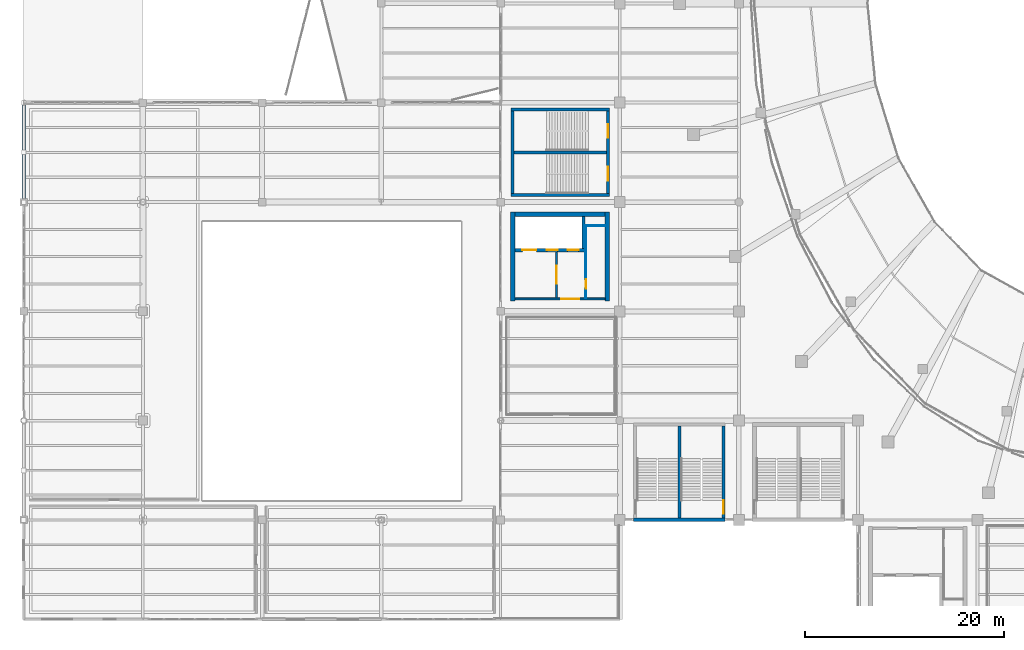
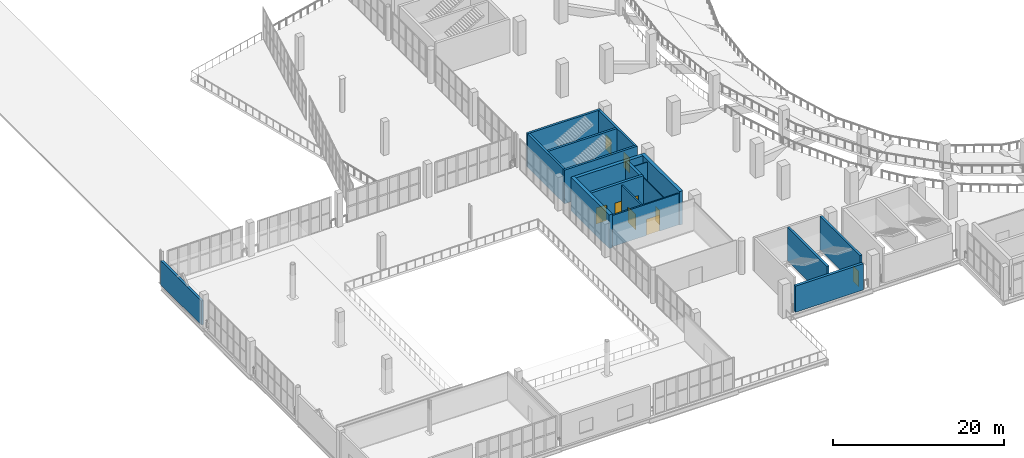
# One storey, part 108 of 136: 18 walls, 9 doors, 9 openings.
"""IFC4 building model written with IfcOpenShell, lengths in metres."""

from ifc_helpers import new_model, si_unit, direction, frame, frame_2d, origin, place, context, subcontext, project, spatial, rectangle, extrude, material, layer, layer_set, type_object, element, fill, save


model = new_model("IFC4")

# Units and contexts
model_context = context("Model", 3, precision=1e-05, world=origin(), true_north=direction((0.0, 1.0)))
body_context = subcontext(model_context, "Body", "Model", "MODEL_VIEW")
ifc_project = project(units=[si_unit("LENGTHUNIT", "METRE"), si_unit("AREAUNIT", "SQUARE_METRE"), si_unit("VOLUMEUNIT", "CUBIC_METRE"), si_unit("PLANEANGLEUNIT", "RADIAN"), si_unit("MASSUNIT", "GRAM", prefix="KILO")], contexts=[model_context])

# Site, building, storey
site_placement = place(None, origin())
site = spatial("IfcSite", under=ifc_project, at=site_placement, CompositionType="ELEMENT")
building_placement = place(site_placement, origin())
building = spatial("IfcBuilding", under=site, at=building_placement, Name="Brinegate Civic Arena", CompositionType="ELEMENT")
storey_placement = place(building_placement, frame((0.0, 0.0, 5.39990234375)))
storey = spatial("IfcBuildingStorey", under=building, at=storey_placement, Name="L01", CompositionType="ELEMENT", Elevation=5.39990234375)

# Wall, openings, doors
ifc_material_1 = material(Name="Concrete C50/60", Category="concrete")
ifc_layer_1 = layer(ifc_material_1, 0.35009765625, Name="Concrete C50/60")
ifc_layer_set_1 = layer_set([ifc_layer_1], Name="Concrete C50/60")
wall_type_1 = type_object("IfcWallType", Name="WALL-CORE-SHEAR-350", PredefinedType="SHEAR", material=ifc_layer_set_1)
wall_1_placement = place(storey_placement, frame((49.47509765625, 37.14990234375, 0.0), z_axis=(0.0, 0.0, 1.0), x_axis=(1.0, 0.0, 0.0)))
wall_1 = element("IfcWall", 1, at=wall_1_placement, inside=storey, type_object=wall_type_1, Name="Core K2 Lift Shaft Front Wall L01 (WBG-03)", PredefinedType="SHEAR", context=body_context, shape_type="SweptSolid", body=[
    extrude(rectangle(XDim=7.0498046875, YDim=0.35009765625, at=frame_2d((3.52490234375, 0.0))), origin(), (0.0, 0.0, 1.0), 4.800048828125),
])
opening_1_placement = place(wall_1_placement, frame((0.72509765625, 0.0, 0.0)))
opening_1 = element("IfcOpeningElement", 2, at=opening_1_placement, cuts=wall_1, Name="Opening LD-FL2-L01", PredefinedType="OPENING", context=body_context, shape_type="SweptSolid", body=[
    extrude(rectangle(XDim=1.39990234375, YDim=2.300048828125, at=frame_2d((0.699951171875, 1.14990234375))), frame((0.0, 0.18505859375, 0.0), z_axis=(0.0, -1.0, 0.0), x_axis=(1.0, 0.0, 0.0)), (0.0, 0.0, 1.0), 0.3701171875),
])
opening_2_placement = place(wall_1_placement, frame((3.175048828125, 0.0, 0.0)))
opening_2 = element("IfcOpeningElement", 3, at=opening_2_placement, cuts=wall_1, Name="Opening LD-PL3-L01", PredefinedType="OPENING", context=body_context, shape_type="SweptSolid", body=[
    extrude(rectangle(XDim=1.10009765625, YDim=2.199951171875, at=frame_2d((0.550048828125, 1.10009765625))), frame((0.0, 0.18505859375, 0.0), z_axis=(0.0, -1.0, 0.0), x_axis=(1.0, 0.0, 0.0)), (0.0, 0.0, 1.0), 0.3701171875),
])
opening_3_placement = place(wall_1_placement, frame((5.27490234375, 0.0, 0.0)))
opening_3 = element("IfcOpeningElement", 4, at=opening_3_placement, cuts=wall_1, Name="Opening LD-PL4-L01", PredefinedType="OPENING", context=body_context, shape_type="SweptSolid", body=[
    extrude(rectangle(XDim=1.10009765625, YDim=2.199951171875, at=frame_2d((0.550048828125, 1.10009765625))), frame((0.0, 0.18505859375, 0.0), z_axis=(0.0, -1.0, 0.0), x_axis=(1.0, 0.0, 0.0)), (0.0, 0.0, 1.0), 0.3701171875),
])
ifc_material_2 = material(Name="Architectural stainless steel balustrade", Category="steel")
door_type_1 = type_object("IfcDoorType", Name="DOOR-LIFT-1100X2200", OperationType="SLIDING_TO_LEFT", PredefinedType="DOOR", material=ifc_material_2)
door_1_placement = place(opening_2_placement, origin())
door_1 = element("IfcDoor", 5, at=door_1_placement, inside=storey, type_object=door_type_1, Name="Sliding Lift Landing Door LD-PL3-L01", OperationType="SLIDING_TO_LEFT", OverallHeight=2.199951171875, OverallWidth=1.10009765625, PredefinedType="DOOR", context=body_context, shape_type="SweptSolid", body=[
    extrude(rectangle(XDim=1.10009765625, YDim=2.199951171875, at=frame_2d((0.550048828125, 1.10009765625))), frame((0.0, 0.02490234375, 0.0), z_axis=(0.0, -1.0, 0.0), x_axis=(1.0, 0.0, 0.0)), (0.0, 0.0, 1.0), 0.050048828125),
])
fill(opening_2, door_1)
door_2_placement = place(opening_3_placement, origin())
door_2 = element("IfcDoor", 6, at=door_2_placement, inside=storey, type_object=door_type_1, Name="Sliding Lift Landing Door LD-PL4-L01", OperationType="SLIDING_TO_LEFT", OverallHeight=2.199951171875, OverallWidth=1.10009765625, PredefinedType="DOOR", context=body_context, shape_type="SweptSolid", body=[
    extrude(rectangle(XDim=1.10009765625, YDim=2.199951171875, at=frame_2d((0.550048828125, 1.10009765625))), frame((0.0, 0.02490234375, 0.0), z_axis=(0.0, -1.0, 0.0), x_axis=(1.0, 0.0, 0.0)), (0.0, 0.0, 1.0), 0.050048828125),
])
fill(opening_3, door_2)
door_type_2 = type_object("IfcDoorType", Name="DOOR-LIFT-1400X2300", OperationType="SLIDING_TO_LEFT", PredefinedType="DOOR", material=ifc_material_2)
door_3_placement = place(opening_1_placement, origin())
door_3 = element("IfcDoor", 7, at=door_3_placement, inside=storey, type_object=door_type_2, Name="Sliding Lift Landing Door LD-FL2-L01", OperationType="SLIDING_TO_LEFT", OverallHeight=2.300048828125, OverallWidth=1.39990234375, PredefinedType="DOOR", context=body_context, shape_type="SweptSolid", body=[
    extrude(rectangle(XDim=1.39990234375, YDim=2.300048828125, at=frame_2d((0.699951171875, 1.14990234375))), frame((0.0, 0.02490234375, 0.0), z_axis=(0.0, -1.0, 0.0), x_axis=(1.0, 0.0, 0.0)), (0.0, 0.0, 1.0), 0.050048828125),
])
fill(opening_1, door_3)

# Walls
wall_2_placement = place(storey_placement, frame((56.35009765625, 37.324951171875, 0.0), z_axis=(0.0, 0.0, 1.0), x_axis=(0.0, 1.0, 0.0)))
element("IfcWall", 8, at=wall_2_placement, inside=storey, type_object=wall_type_1, Name="Core K2 Lift Shaft End Wall L01 (WBG-04)", PredefinedType="SHEAR", context=body_context, shape_type="SweptSolid", body=[
    extrude(rectangle(XDim=3.199951171875, YDim=0.35009765625, at=frame_2d((1.60009765625, 0.0))), origin(), (0.0, 0.0, 1.0), 4.800048828125),
])
ifc_layer_2 = layer(ifc_material_1, 0.449951171875, Name="Concrete C50/60")
ifc_layer_set_2 = layer_set([ifc_layer_2], Name="Concrete C50/60")
wall_type_2 = type_object("IfcWallType", Name="WALL-CORE-SHEAR-450", PredefinedType="SHEAR", material=ifc_layer_set_2)
for number, where, z_axis, x_axis, name in (
    (9, (49.25, 32.02490234375, 0.0), (0.0, 0.0, 1.0), (0.0, 1.0, 0.0), "Core K2 West Shear Wall L01 (WBF-99)"),
    (10, (58.75, 32.02490234375, 0.0), (0.0, 0.0, 1.0), (0.0, 1.0, 0.0), "Core K2 East Shear Wall L01 (WBG-01)"),
):
    element("IfcWall", number, at=place(storey_placement, frame(where, z_axis=z_axis, x_axis=x_axis)), inside=storey, type_object=wall_type_2, Name=name, PredefinedType="SHEAR", context=body_context, shape_type="SweptSolid", body=[
        extrude(rectangle(XDim=8.9501953125, YDim=0.449951171875, at=frame_2d((4.47509765625, 0.0))), origin(), (0.0, 0.0, 1.0), 4.800048828125),
    ])
wall_3_placement = place(storey_placement, frame((49.47509765625, 40.75, 0.0), z_axis=(0.0, 0.0, 1.0), x_axis=(1.0, 0.0, 0.0)))
element("IfcWall", 11, at=wall_3_placement, inside=storey, type_object=wall_type_2, Name="Core K2 North Shear Wall L01 (WBG-02)", PredefinedType="SHEAR", context=body_context, shape_type="SweptSolid", body=[
    extrude(rectangle(XDim=9.0498046875, YDim=0.449951171875, at=frame_2d((4.52490234375, 0.0))), origin(), (0.0, 0.0, 1.0), 4.800048828125),
])
ifc_material_3 = material(Name="Precast concrete C45/55", Category="concrete")
ifc_layer_3 = layer(ifc_material_3, 0.31494140625, Name="Precast concrete C45/55")
ifc_layer_set_3 = layer_set([ifc_layer_3], Name="Precast concrete C45/55")
wall_type_3 = type_object("IfcWallType", Name="WALL-EXT-PRECAST-315", PredefinedType="SOLIDWALL", material=ifc_layer_set_3)
wall_4_placement = place(storey_placement, frame((0.0, 42.360107421875, 0.0), z_axis=(0.0, 0.0, 1.0), x_axis=(0.0, 1.0, 0.0)))
element("IfcWall", 12, at=wall_4_placement, inside=storey, type_object=wall_type_3, Name="Braced Bay Solid Precast Wall L01-02 (WBA-43)", PredefinedType="SOLIDWALL", context=body_context, shape_type="SweptSolid", body=[
    extrude(rectangle(XDim=9.548828125, YDim=0.31494140625, at=frame_2d((4.7744140625, 0.0))), origin(), (0.0, 0.0, 1.0), 3.4501953125),
])
ifc_layer_4 = layer(ifc_material_1, 0.35009765625, Name="Concrete C50/60")
ifc_layer_set_4 = layer_set([ifc_layer_4], Name="Concrete C50/60")
wall_type_4 = type_object("IfcWallType", Name="WALL-EXT-STAIR-SHEAR-350", PredefinedType="SHEAR", material=ifc_layer_set_4)
wall_5_placement = place(storey_placement, frame((61.405029296875, 10.0, 0.0), z_axis=(0.0, 0.0, 1.0), x_axis=(1.0, 0.0, 0.0)))
element("IfcWall", 13, at=wall_5_placement, inside=storey, type_object=wall_type_4, Name="Stair ST-02 South Shear Wall L01 (WBB-37)", PredefinedType="SHEAR", context=body_context, shape_type="SweptSolid", body=[
    extrude(rectangle(XDim=9.18994140625, YDim=0.35009765625, at=frame_2d((4.594970703125, 0.0))), origin(), (0.0, 0.0, 1.0), 3.757080078125),
])

# Wall, opening, door
ifc_material_4 = material(Name="Concrete blockwork masonry", Category="masonry")
ifc_layer_5 = layer(ifc_material_4, 0.18994140625, Name="Concrete blockwork masonry")
ifc_layer_set_5 = layer_set([ifc_layer_5], Name="Concrete blockwork masonry")
wall_type_5 = type_object("IfcWallType", Name="WALL-PART-RATED-190", PredefinedType="PARTITIONING", material=ifc_layer_set_5)
wall_6_placement = place(storey_placement, frame((49.469970703125, 32.25, 0.0), z_axis=(0.0, 0.0, 1.0), x_axis=(1.0, 0.0, 0.0)))
wall_6 = element("IfcWall", 14, at=wall_6_placement, inside=storey, type_object=wall_type_5, Name="Core K2 Concourse Lobby Wall L01 (WBG-05)", PredefinedType="PARTITIONING", context=body_context, shape_type="SweptSolid", body=[
    extrude(rectangle(XDim=9.06005859375, YDim=0.18994140625, at=frame_2d((4.530029296875, 0.0))), origin(), (0.0, 0.0, 1.0), 4.47021484375),
])
opening_4_placement = place(wall_6_placement, frame((4.64990234375, 0.0, 0.0)))
opening_4 = element("IfcOpeningElement", 15, at=opening_4_placement, cuts=wall_6, Name="Opening D-K2L-L01", PredefinedType="OPENING", context=body_context, shape_type="SweptSolid", body=[
    extrude(rectangle(XDim=1.800048828125, YDim=2.300048828125, at=frame_2d((0.89990234375, 1.14990234375))), frame((0.0, 0.10498046875, 0.0), z_axis=(0.0, -1.0, 0.0), x_axis=(1.0, 0.0, 0.0)), (0.0, 0.0, 1.0), 0.2099609375),
])
ifc_material_5 = material(Name="Marine grade aluminium", Category="aluminium")
door_type_3 = type_object("IfcDoorType", Name="DOOR-CONC-1800X2300", OperationType="NOTDEFINED", PredefinedType="DOOR", material=ifc_material_5)
door_4_placement = place(opening_4_placement, origin())
door_4 = element("IfcDoor", 16, at=door_4_placement, inside=storey, type_object=door_type_3, Name="Lift Lobby Door D-K2L-L01", OperationType="DOUBLE_DOOR_SINGLE_SWING", OverallHeight=2.300048828125, OverallWidth=1.800048828125, PredefinedType="DOOR", context=body_context, shape_type="SweptSolid", body=[
    extrude(rectangle(XDim=1.800048828125, YDim=2.300048828125, at=frame_2d((0.89990234375, 1.14990234375))), frame((0.0, 0.02490234375, 0.0), z_axis=(0.0, -1.0, 0.0), x_axis=(1.0, 0.0, 0.0)), (0.0, 0.0, 1.0), 0.050048828125),
])
fill(opening_4, door_4)

wall_7_placement = place(storey_placement, frame((53.64990234375, 32.35009765625, 0.0), z_axis=(0.0, 0.0, 1.0), x_axis=(0.0, 1.0, 0.0)))
wall_7 = element("IfcWall", 17, at=wall_7_placement, inside=storey, type_object=wall_type_5, Name="Firefighting Lobby K2 Wall L01 (WBG-06)", PredefinedType="PARTITIONING", context=body_context, shape_type="SweptSolid", body=[
    extrude(rectangle(XDim=4.625, YDim=0.18994140625, at=frame_2d((2.3125, 0.0))), origin(), (0.0, 0.0, 1.0), 4.47021484375),
])
opening_5_placement = place(wall_7_placement, frame((1.4130859375, 0.0, 0.0)))
opening_5 = element("IfcOpeningElement", 18, at=opening_5_placement, cuts=wall_7, Name="Opening D-K2F-L01", PredefinedType="OPENING", context=body_context, shape_type="SweptSolid", body=[
    extrude(rectangle(XDim=1.800048828125, YDim=2.199951171875, at=frame_2d((0.89990234375, 1.10009765625))), frame((0.0, 0.10498046875, 0.0), z_axis=(0.0, -1.0, 0.0), x_axis=(1.0, 0.0, 0.0)), (0.0, 0.0, 1.0), 0.2099609375),
])
ifc_material_6 = material(Name="Galvanized hurricane steel", Category="steel")
door_type_4 = type_object("IfcDoorType", Name="DOOR-FFLOB-1800X2200", OperationType="NOTDEFINED", PredefinedType="DOOR", material=ifc_material_6)
door_5_placement = place(opening_5_placement, origin())
door_5 = element("IfcDoor", 19, at=door_5_placement, inside=storey, type_object=door_type_4, Name="Firefighting Lift Lobby Door D-K2F-L01", OperationType="DOUBLE_DOOR_SINGLE_SWING", OverallHeight=2.199951171875, OverallWidth=1.800048828125, PredefinedType="DOOR", context=body_context, shape_type="SweptSolid", body=[
    extrude(rectangle(XDim=1.800048828125, YDim=2.199951171875, at=frame_2d((0.89990234375, 1.10009765625))), frame((0.0, 0.02490234375, 0.0), z_axis=(0.0, -1.0, 0.0), x_axis=(1.0, 0.0, 0.0)), (0.0, 0.0, 1.0), 0.050048828125),
])
fill(opening_5, door_5)

ifc_layer_6 = layer(ifc_material_4, 0.10009765625, Name="Concrete blockwork masonry")
ifc_layer_set_6 = layer_set([ifc_layer_6], Name="Concrete blockwork masonry")
wall_type_6 = type_object("IfcWallType", Name="WALL-PART-WET-100", PredefinedType="PARTITIONING", material=ifc_layer_set_6)
wall_8_placement = place(storey_placement, frame((56.60009765625, 32.35009765625, 0.0), z_axis=(0.0, 0.0, 1.0), x_axis=(0.0, 1.0, 0.0)))
wall_8 = element("IfcWall", 20, at=wall_8_placement, inside=storey, type_object=wall_type_6, Name="Accessible WC K2 Partition L01 (WBG-07)", PredefinedType="PARTITIONING", context=body_context, shape_type="SweptSolid", body=[
    extrude(rectangle(XDim=7.25, YDim=0.10009765625, at=frame_2d((3.625, 0.0))), origin(), (0.0, 0.0, 1.0), 4.47021484375),
])
opening_6_placement = place(wall_8_placement, frame((0.89990234375, 0.0, 0.0)))
opening_6 = element("IfcOpeningElement", 21, at=opening_6_placement, cuts=wall_8, Name="Opening D-K2W-L01", PredefinedType="OPENING", context=body_context, shape_type="SweptSolid", body=[
    extrude(rectangle(XDim=1.0, YDim=2.10009765625, at=frame_2d((0.5, 1.050048828125))), frame((0.0, 0.06005859375, 0.0), z_axis=(0.0, -1.0, 0.0), x_axis=(1.0, 0.0, 0.0)), (0.0, 0.0, 1.0), 0.1201171875),
])
ifc_material_7 = material(Name="Hardwood acoustic timber door", Category="wood")
door_type_5 = type_object("IfcDoorType", Name="DOOR-AWC-1000X2100", OperationType="NOTDEFINED", PredefinedType="DOOR", material=ifc_material_7)
door_6_placement = place(opening_6_placement, origin())
door_6 = element("IfcDoor", 22, at=door_6_placement, inside=storey, type_object=door_type_5, Name="Accessible WC Door D-K2W-L01", OperationType="SINGLE_SWING_RIGHT", OverallHeight=2.10009765625, OverallWidth=1.0, PredefinedType="DOOR", context=body_context, shape_type="SweptSolid", body=[
    extrude(rectangle(XDim=1.0, YDim=2.10009765625, at=frame_2d((0.5, 1.050048828125))), frame((0.0, 0.02490234375, 0.0), z_axis=(0.0, -1.0, 0.0), x_axis=(1.0, 0.0, 0.0)), (0.0, 0.0, 1.0), 0.050048828125),
])
fill(opening_6, door_6)

# Wall
wall_9_placement = place(storey_placement, frame((56.60009765625, 39.60009765625, 0.0), z_axis=(0.0, 0.0, 1.0), x_axis=(1.0, 0.0, 0.0)))
element("IfcWall", 23, at=wall_9_placement, inside=storey, type_object=wall_type_6, Name="Accessible WC K2 Back Partition L01 (WBG-08)", PredefinedType="PARTITIONING", context=body_context, shape_type="SweptSolid", body=[
    extrude(rectangle(XDim=2.0, YDim=0.10009765625, at=frame_2d((1.0, 0.0))), origin(), (0.0, 0.0, 1.0), 4.47021484375),
])

# Wall, opening, door
ifc_layer_7 = layer(ifc_material_1, 0.2900390625, Name="Concrete C50/60")
ifc_layer_set_7 = layer_set([ifc_layer_7], Name="Concrete C50/60")
wall_type_7 = type_object("IfcWallType", Name="WALL-STAIR-SHEAR-290", PredefinedType="SHEAR", material=ifc_layer_set_7)
wall_10_placement = place(storey_placement, frame((70.449951171875, 10.175048828125, 0.0), z_axis=(0.0, 0.0, 1.0), x_axis=(0.0, 1.0, 0.0)))
wall_10 = element("IfcWall", 24, at=wall_10_placement, inside=storey, type_object=wall_type_7, Name="Stair ST-02 East Shear Wall L01 (WBB-40)", PredefinedType="SHEAR", context=body_context, shape_type="SweptSolid", body=[
    extrude(rectangle(XDim=9.280029296875, YDim=0.2900390625, at=frame_2d((4.64013671875, 0.0))), origin(), (0.0, 0.0, 1.0), 4.800048828125),
])
opening_7_placement = place(wall_10_placement, frame((0.465087890625, 0.0, 0.0)))
opening_7 = element("IfcOpeningElement", 25, at=opening_7_placement, cuts=wall_10, Name="Opening D-ST02B-L01", PredefinedType="OPENING", context=body_context, shape_type="SweptSolid", body=[
    extrude(rectangle(XDim=1.320068359375, YDim=2.199951171875, at=frame_2d((0.66015625, 1.10009765625))), frame((0.0, 0.155029296875, 0.0), z_axis=(0.0, -1.0, 0.0), x_axis=(1.0, 0.0, 0.0)), (0.0, 0.0, 1.0), 0.31005859375),
])
door_type_6 = type_object("IfcDoorType", Name="DOOR-STAIR-2200X2200", OperationType="NOTDEFINED", PredefinedType="DOOR", material=ifc_material_6)
door_7_placement = place(opening_7_placement, origin())
door_7 = element("IfcDoor", 26, at=door_7_placement, inside=storey, type_object=door_type_6, Name="Protected Exit Stair Door D-ST02B-L01", OperationType="DOUBLE_DOOR_SINGLE_SWING", OverallHeight=2.199951171875, OverallWidth=1.320068359375, PredefinedType="DOOR", context=body_context, shape_type="SweptSolid", body=[
    extrude(rectangle(XDim=1.320068359375, YDim=2.199951171875, at=frame_2d((0.66015625, 1.10009765625))), frame((0.0, 0.02490234375, 0.0), z_axis=(0.0, -1.0, 0.0), x_axis=(1.0, 0.0, 0.0)), (0.0, 0.0, 1.0), 0.050048828125),
])
fill(opening_7, door_7)

# Walls
wall_11_placement = place(storey_placement, frame((66.0, 10.175048828125, 0.0), z_axis=(0.0, 0.0, 1.0), x_axis=(0.0, 1.0, 0.0)))
element("IfcWall", 27, at=wall_11_placement, inside=storey, type_object=wall_type_7, Name="Stair ST-02 Central Dividing Shear Wall L01 (WBB-41)", PredefinedType="SHEAR", context=body_context, shape_type="SweptSolid", body=[
    extrude(rectangle(XDim=9.280029296875, YDim=0.2900390625, at=frame_2d((4.64013671875, 0.0))), origin(), (0.0, 0.0, 1.0), 4.800048828125),
])
for number, where, z_axis, x_axis, name in (
    (28, (49.054931640625, 42.699951171875, 0.0), (0.0, 0.0, 1.0), (1.0, 0.0, 0.0), "Stair ST-08 South Shear Wall L01 (WBD-04)"),
    (29, (49.054931640625, 51.300048828125, 0.0), (0.0, 0.0, 1.0), (1.0, 0.0, 0.0), "Stair ST-08 North Shear Wall L01 (WBD-05)"),
):
    element("IfcWall", number, at=place(storey_placement, frame(where, z_axis=z_axis, x_axis=x_axis)), inside=storey, type_object=wall_type_7, Name=name, PredefinedType="SHEAR", context=body_context, shape_type="SweptSolid", body=[
        extrude(rectangle(XDim=9.89013671875, YDim=0.2900390625, at=frame_2d((4.945068359375, 0.0))), origin(), (0.0, 0.0, 1.0), 4.800048828125),
    ])
wall_12_placement = place(storey_placement, frame((49.199951171875, 42.844970703125, 0.0), z_axis=(0.0, 0.0, 1.0), x_axis=(0.0, 1.0, 0.0)))
element("IfcWall", 30, at=wall_12_placement, inside=storey, type_object=wall_type_7, Name="Stair ST-08 West Shear Wall L01 (WBD-06)", PredefinedType="SHEAR", context=body_context, shape_type="SweptSolid", body=[
    extrude(rectangle(XDim=8.31005859375, YDim=0.2900390625, at=frame_2d((4.155029296875, 0.0))), origin(), (0.0, 0.0, 1.0), 4.800048828125),
])

# Wall, openings, doors
wall_13_placement = place(storey_placement, frame((58.800048828125, 42.844970703125, 0.0), z_axis=(0.0, 0.0, 1.0), x_axis=(0.0, 1.0, 0.0)))
wall_13 = element("IfcWall", 31, at=wall_13_placement, inside=storey, type_object=wall_type_7, Name="Stair ST-08 East Shear Wall L01 (WBD-07)", PredefinedType="SHEAR", context=body_context, shape_type="SweptSolid", body=[
    extrude(rectangle(XDim=8.31005859375, YDim=0.2900390625, at=frame_2d((4.155029296875, 0.0))), origin(), (0.0, 0.0, 1.0), 4.800048828125),
])
opening_8_placement = place(wall_13_placement, frame((1.304931640625, 0.0, 0.0)))
opening_8 = element("IfcOpeningElement", 32, at=opening_8_placement, cuts=wall_13, Name="Opening D-ST08A-L01", PredefinedType="OPENING", context=body_context, shape_type="SweptSolid", body=[
    extrude(rectangle(XDim=1.39990234375, YDim=2.199951171875, at=frame_2d((0.699951171875, 1.10009765625))), frame((0.0, 0.155029296875, 0.0), z_axis=(0.0, -1.0, 0.0), x_axis=(1.0, 0.0, 0.0)), (0.0, 0.0, 1.0), 0.31005859375),
])
opening_9_placement = place(wall_13_placement, frame((5.64501953125, 0.0, 0.0)))
opening_9 = element("IfcOpeningElement", 33, at=opening_9_placement, cuts=wall_13, Name="Opening D-ST08B-L01", PredefinedType="OPENING", context=body_context, shape_type="SweptSolid", body=[
    extrude(rectangle(XDim=1.320068359375, YDim=2.199951171875, at=frame_2d((0.66015625, 1.10009765625))), frame((0.0, 0.155029296875, 0.0), z_axis=(0.0, -1.0, 0.0), x_axis=(1.0, 0.0, 0.0)), (0.0, 0.0, 1.0), 0.31005859375),
])
door_8_placement = place(opening_9_placement, origin())
door_8 = element("IfcDoor", 34, at=door_8_placement, inside=storey, type_object=door_type_6, Name="Protected Exit Stair Door D-ST08B-L01", OperationType="DOUBLE_DOOR_SINGLE_SWING", OverallHeight=2.199951171875, OverallWidth=1.320068359375, PredefinedType="DOOR", context=body_context, shape_type="SweptSolid", body=[
    extrude(rectangle(XDim=1.320068359375, YDim=2.199951171875, at=frame_2d((0.66015625, 1.10009765625))), frame((0.0, 0.02490234375, 0.0), z_axis=(0.0, -1.0, 0.0), x_axis=(1.0, 0.0, 0.0)), (0.0, 0.0, 1.0), 0.050048828125),
])
fill(opening_9, door_8)
door_type_7 = type_object("IfcDoorType", Name="DOOR-STAIR-2400X2200", OperationType="NOTDEFINED", PredefinedType="DOOR", material=ifc_material_6)
door_9_placement = place(opening_8_placement, origin())
door_9 = element("IfcDoor", 35, at=door_9_placement, inside=storey, type_object=door_type_7, Name="Protected Exit Stair Door D-ST08A-L01", OperationType="DOUBLE_DOOR_SINGLE_SWING", OverallHeight=2.199951171875, OverallWidth=1.39990234375, PredefinedType="DOOR", context=body_context, shape_type="SweptSolid", body=[
    extrude(rectangle(XDim=1.39990234375, YDim=2.199951171875, at=frame_2d((0.699951171875, 1.10009765625))), frame((0.0, 0.02490234375, 0.0), z_axis=(0.0, -1.0, 0.0), x_axis=(1.0, 0.0, 0.0)), (0.0, 0.0, 1.0), 0.050048828125),
])
fill(opening_8, door_9)

# Wall
wall_14_placement = place(storey_placement, frame((49.344970703125, 47.0, 0.0), z_axis=(0.0, 0.0, 1.0), x_axis=(1.0, 0.0, 0.0)))
element("IfcWall", 36, at=wall_14_placement, inside=storey, type_object=wall_type_7, Name="Stair ST-08 Central Dividing Shear Wall L01 (WBD-08)", PredefinedType="SHEAR", context=body_context, shape_type="SweptSolid", body=[
    extrude(rectangle(XDim=9.31005859375, YDim=0.2900390625, at=frame_2d((4.655029296875, 0.0))), origin(), (0.0, 0.0, 1.0), 4.800048828125),
])

save(model, "model.ifc")
